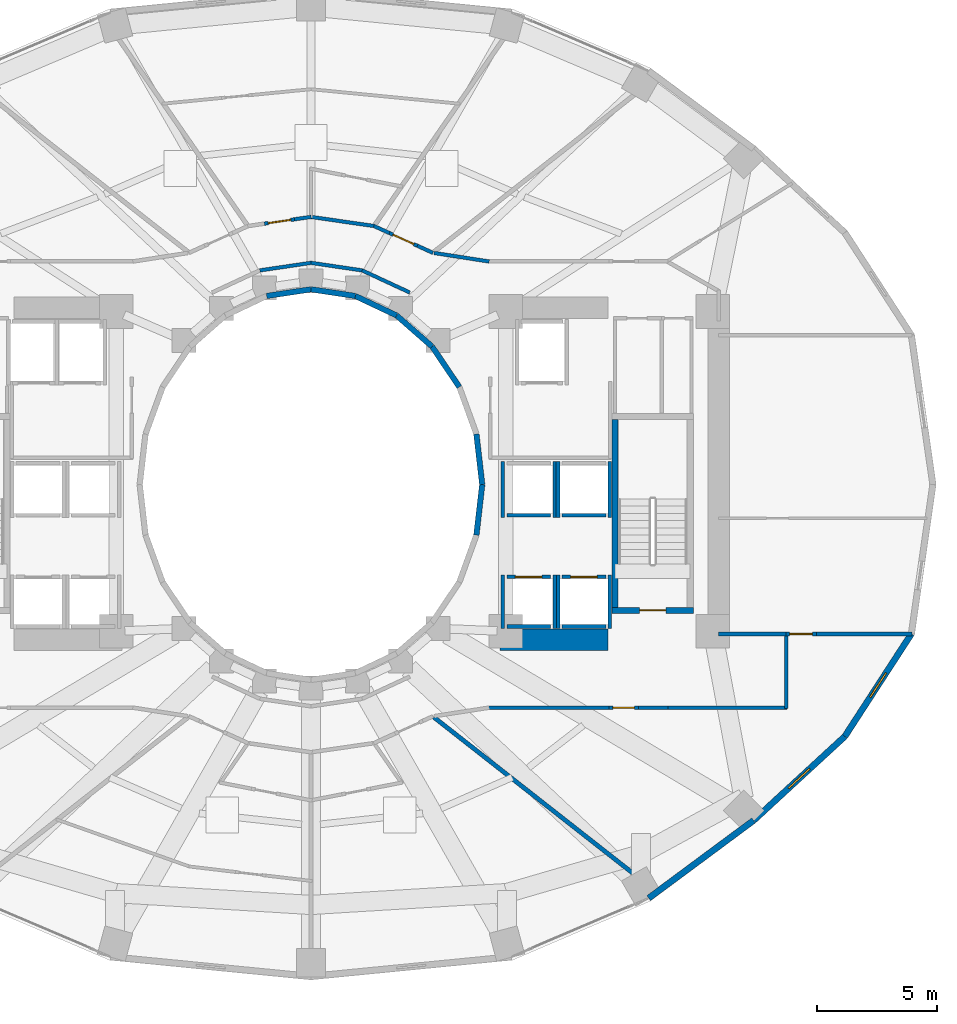
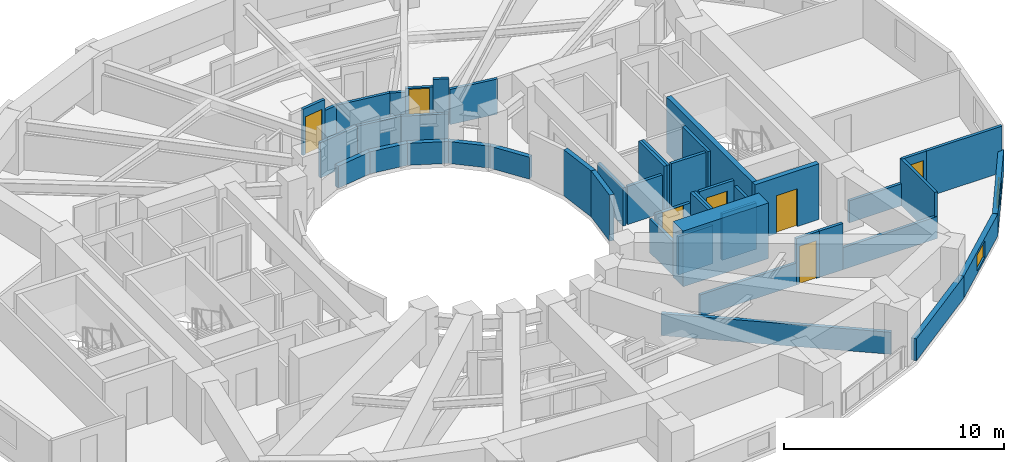
# One storey, part 11 of 16: 46 walls, 7 doors, 2 windows, 9 openings.
"""IFC4 building model written with IfcOpenShell, lengths in metres."""

from ifc_helpers import new_model, si_unit, direction, frame, frame_2d, origin, place, context, subcontext, project, spatial, rectangle, extrude, material, layer, layer_set, type_object, element, fill, save


model = new_model("IFC4")

# Units and contexts
model_context = context("Model", 3, precision=1e-05, world=origin(), true_north=direction((0.0, 1.0)))
body_context = subcontext(model_context, "Body", "Model", "MODEL_VIEW")
ifc_project = project(units=[si_unit("LENGTHUNIT", "METRE"), si_unit("AREAUNIT", "SQUARE_METRE"), si_unit("VOLUMEUNIT", "CUBIC_METRE"), si_unit("PLANEANGLEUNIT", "RADIAN"), si_unit("MASSUNIT", "GRAM", prefix="KILO")], contexts=[model_context])

# Site, building, storey
site_placement = place(None, origin())
site = spatial("IfcSite", under=ifc_project, at=site_placement, CompositionType="ELEMENT")
building_placement = place(site_placement, origin())
building = spatial("IfcBuilding", under=site, at=building_placement, Name="Solvane Sanctuary Tower", CompositionType="ELEMENT")
storey_placement = place(building_placement, frame((0.0, 0.0, 33.800048828125)))
storey = spatial("IfcBuildingStorey", under=building, at=storey_placement, Name="L09", CompositionType="ELEMENT", Elevation=33.800048828125)

# Walls
ifc_material_1 = material(Name="Concrete C70/85", Category="concrete")
ifc_layer_1 = layer(ifc_material_1, 0.89990234375, Name="Concrete C70/85")
ifc_layer_set_1 = layer_set([ifc_layer_1], Name="Concrete C70/85")
wall_type_1 = type_object("IfcWallType", Name="Wall W-CORE-900", PredefinedType="SHEAR", material=ifc_layer_set_1)
wall_1_placement = place(storey_placement, frame((39.85009765625, 16.550048828125, 0.0), z_axis=(0.0, 0.0, 1.0), x_axis=(1.0, 0.0, 0.0)))
element("IfcWall", 1, at=wall_1_placement, inside=storey, type_object=wall_type_1, Name="L09 Core Shear Wall EC-S", PredefinedType="SHEAR", context=body_context, shape_type="SweptSolid", body=[
    extrude(rectangle(XDim=4.5, YDim=0.89990234375, at=frame_2d((2.25, 0.0))), origin(), (0.0, 0.0, 1.0), 3.099853515625),
])
ifc_material_2 = material(Name="Acoustic Gypsum Partition Board")
ifc_layer_2 = layer(ifc_material_2, 0.14990234375, Name="Acoustic Gypsum Partition Board")
ifc_layer_set_2 = layer_set([ifc_layer_2], Name="Acoustic Gypsum Partition Board")
wall_type_2 = type_object("IfcWallType", Name="Wall W-CORR-150", PredefinedType="PARTITIONING", material=ifc_layer_set_2)
wall_2_placement = place(storey_placement, frame((36.110107421875, 30.98486328125, 0.0), z_axis=(0.0, 0.0, 1.0), x_axis=(-0.906943449489, 0.421252393975, 0.0)))
element("IfcWall", 2, at=wall_2_placement, inside=storey, type_object=wall_type_2, Name="L09 Light-Well Corridor Rim Wall N1", PredefinedType="PARTITIONING", context=body_context, shape_type="SweptSolid", body=[
    extrude(rectangle(XDim=2.18603515625, YDim=0.14990234375, at=frame_2d((1.093017578125, 0.0))), origin(), (0.0, 0.0, 1.0), 1.95703125),
])
for number, where, z_axis, x_axis, name in (
    (3, (34.12744140625, 31.90576171875, 0.0), (0.0, 0.0, 1.0), (-0.989268584896, 0.146108408166, 0.0), "L09 Light-Well Corridor Rim Wall N2"),
    (4, (32.0, 32.219970703125, 0.0), (0.0, 0.0, 1.0), (-0.989268584896, -0.146108408166, 0.0), "L09 Light-Well Corridor Rim Wall N3"),
):
    element("IfcWall", number, at=place(storey_placement, frame(where, z_axis=z_axis, x_axis=x_axis)), inside=storey, type_object=wall_type_2, Name=name, PredefinedType="PARTITIONING", context=body_context, shape_type="SweptSolid", body=[
        extrude(rectangle(XDim=2.150634765625, YDim=0.14990234375, at=frame_2d((1.0751953125, 0.0))), origin(), (0.0, 0.0, 1.0), 1.95703125),
    ])
wall_3_placement = place(storey_placement, frame((48.949951171875, 16.788330078125, 0.0), z_axis=(0.0, 0.0, 1.0), x_axis=(1.0, 0.0, 0.0)))
element("IfcWall", 5, at=wall_3_placement, inside=storey, type_object=wall_type_2, Name="L09 East Shoulder South Wall", PredefinedType="PARTITIONING", context=body_context, shape_type="SweptSolid", body=[
    extrude(rectangle(XDim=2.79296875, YDim=0.14990234375, at=frame_2d((1.396484375, 0.0))), origin(), (0.0, 0.0, 1.0), 1.219970703125),
])

# Wall, opening, door
wall_4_placement = place(storey_placement, frame((51.742919921875, 16.788330078125, 0.0), z_axis=(0.0, 0.0, 1.0), x_axis=(1.0, 0.0, 0.0)))
wall_4 = element("IfcWall", 6, at=wall_4_placement, inside=storey, type_object=wall_type_2, Name="L09 East Shoulder South Wall", PredefinedType="PARTITIONING", context=body_context, shape_type="SweptSolid", body=[
    extrude(rectangle(XDim=1.27001953125, YDim=0.14990234375, at=frame_2d((0.635009765625, 0.0))), origin(), (0.0, 0.0, 1.0), 2.574951171875),
])
opening_1_placement = place(wall_4_placement, frame((0.159912109375, 0.0, 0.0)))
opening_1 = element("IfcOpeningElement", 7, at=opening_1_placement, cuts=wall_4, Name="Opening D-L09-10", PredefinedType="OPENING", context=body_context, shape_type="SweptSolid", body=[
    extrude(rectangle(XDim=0.949951171875, YDim=2.10009765625, at=frame_2d((0.47509765625, 1.050048828125))), frame((0.0, 0.0849609375, 0.0), z_axis=(0.0, -1.0, 0.0), x_axis=(1.0, 0.0, 0.0)), (0.0, 0.0, 1.0), 0.169921875),
])
ifc_material_3 = material(Name="Engineered Tropical Hardwood", Category="wood")
door_type_1 = type_object("IfcDoorType", Name="Door D-ROOM-950", OperationType="NOTDEFINED", PredefinedType="DOOR", material=ifc_material_3)
door_1_placement = place(opening_1_placement, origin())
door_1 = element("IfcDoor", 8, at=door_1_placement, inside=storey, type_object=door_type_1, Name="L09 East Shoulder South Door", OperationType="SINGLE_SWING_RIGHT", OverallHeight=2.10009765625, OverallWidth=0.949951171875, PredefinedType="DOOR", context=body_context, shape_type="SweptSolid", body=[
    extrude(rectangle(XDim=0.949951171875, YDim=2.10009765625, at=frame_2d((0.47509765625, 1.050048828125))), frame((0.0, 0.02490234375, 0.0), z_axis=(0.0, -1.0, 0.0), x_axis=(1.0, 0.0, 0.0)), (0.0, 0.0, 1.0), 0.050048828125),
])
fill(opening_1, door_1)

# Walls
wall_5_placement = place(storey_placement, frame((53.012939453125, 16.788330078125, 0.0), z_axis=(0.0, 0.0, 1.0), x_axis=(1.0, 0.0, 0.0)))
element("IfcWall", 9, at=wall_5_placement, inside=storey, type_object=wall_type_2, Name="L09 East Shoulder South Wall", PredefinedType="PARTITIONING", context=body_context, shape_type="SweptSolid", body=[
    extrude(rectangle(XDim=3.973388671875, YDim=0.14990234375, at=frame_2d((1.98681640625, 0.0))), origin(), (0.0, 0.0, 1.0), 2.574951171875),
])
wall_6_placement = place(storey_placement, frame((37.119384765625, 32.630615234375, 0.0), z_axis=(0.0, 0.0, 1.0), x_axis=(0.988184633586, -0.153268163508, 0.0)))
element("IfcWall", 10, at=wall_6_placement, inside=storey, type_object=wall_type_2, Name="L09 NE Corner Throat Wall", PredefinedType="PARTITIONING", context=body_context, shape_type="SweptSolid", body=[
    extrude(rectangle(XDim=2.317626953125, YDim=0.14990234375, at=frame_2d((1.15869140625, 0.0))), origin(), (0.0, 0.0, 1.0), 1.95703125),
])
wall_7_placement = place(storey_placement, frame((51.760009765625, 13.679931640625, 0.0), z_axis=(0.0, 0.0, 1.0), x_axis=(0.0, 1.0, 0.0)))
element("IfcWall", 11, at=wall_7_placement, inside=storey, type_object=wall_type_2, Name="L09 SE Corner Closer 1", PredefinedType="PARTITIONING", context=body_context, shape_type="SweptSolid", body=[
    extrude(rectangle(XDim=3.1484375, YDim=0.14990234375, at=frame_2d((1.57421875, 0.0))), origin(), (0.0, 0.0, 1.0), 2.574951171875),
])
wall_8_placement = place(storey_placement, frame((39.330078125, 13.719970703125, 0.0), z_axis=(0.0, 0.0, 1.0), x_axis=(1.0, 0.0, 0.0)))
element("IfcWall", 12, at=wall_8_placement, inside=storey, type_object=wall_type_2, Name="L09 SE Corner Corridor Wall", PredefinedType="PARTITIONING", context=body_context, shape_type="SweptSolid", body=[
    extrude(rectangle(XDim=5.059814453125, YDim=0.14990234375, at=frame_2d((2.52978515625, 0.0))), origin(), (0.0, 0.0, 1.0), 1.219970703125),
])

# Wall, opening, door
wall_9_placement = place(storey_placement, frame((44.389892578125, 13.719970703125, 0.0), z_axis=(0.0, 0.0, 1.0), x_axis=(1.0, 0.0, 0.0)))
wall_9 = element("IfcWall", 13, at=wall_9_placement, inside=storey, type_object=wall_type_2, Name="L09 SE Corner Corridor Wall", PredefinedType="PARTITIONING", context=body_context, shape_type="SweptSolid", body=[
    extrude(rectangle(XDim=1.22021484375, YDim=0.14990234375, at=frame_2d((0.610107421875, 0.0))), origin(), (0.0, 0.0, 1.0), 2.574951171875),
])
opening_2_placement = place(wall_9_placement, frame((0.159912109375, 0.0, 0.0)))
opening_2 = element("IfcOpeningElement", 14, at=opening_2_placement, cuts=wall_9, Name="Opening D-L09-17", PredefinedType="OPENING", context=body_context, shape_type="SweptSolid", body=[
    extrude(rectangle(XDim=0.89990234375, YDim=2.10009765625, at=frame_2d((0.449951171875, 1.050048828125))), frame((0.0, 0.0849609375, 0.0), z_axis=(0.0, -1.0, 0.0), x_axis=(1.0, 0.0, 0.0)), (0.0, 0.0, 1.0), 0.169921875),
])
door_type_2 = type_object("IfcDoorType", Name="Door D-WET-900", OperationType="NOTDEFINED", PredefinedType="DOOR", material=ifc_material_3)
door_2_placement = place(opening_2_placement, origin())
door_2 = element("IfcDoor", 15, at=door_2_placement, inside=storey, type_object=door_type_2, Name="L09 SE Corner Salon Door", OperationType="SINGLE_SWING_LEFT", OverallHeight=2.10009765625, OverallWidth=0.89990234375, PredefinedType="DOOR", context=body_context, shape_type="SweptSolid", body=[
    extrude(rectangle(XDim=0.89990234375, YDim=2.10009765625, at=frame_2d((0.449951171875, 1.050048828125))), frame((0.0, 0.02490234375, 0.0), z_axis=(0.0, -1.0, 0.0), x_axis=(1.0, 0.0, 0.0)), (0.0, 0.0, 1.0), 0.050048828125),
])
fill(opening_2, door_2)

# Walls
wall_10_placement = place(storey_placement, frame((45.610107421875, 13.719970703125, 0.0), z_axis=(0.0, 0.0, 1.0), x_axis=(1.0, 0.0, 0.0)))
element("IfcWall", 16, at=wall_10_placement, inside=storey, type_object=wall_type_2, Name="L09 SE Corner Corridor Wall", PredefinedType="PARTITIONING", context=body_context, shape_type="SweptSolid", body=[
    extrude(rectangle(XDim=1.239990234375, YDim=0.14990234375, at=frame_2d((0.6201171875, 0.0))), origin(), (0.0, 0.0, 1.0), 2.574951171875),
])
wall_11_placement = place(storey_placement, frame((46.75, 13.719970703125, 0.0), z_axis=(0.0, 0.0, 1.0), x_axis=(1.0, 0.0, 0.0)))
element("IfcWall", 17, at=wall_11_placement, inside=storey, type_object=wall_type_2, Name="L09 SE Corner Wing Wall", PredefinedType="PARTITIONING", context=body_context, shape_type="SweptSolid", body=[
    extrude(rectangle(XDim=5.050048828125, YDim=0.14990234375, at=frame_2d((2.52490234375, 0.0))), origin(), (0.0, 0.0, 1.0), 1.219970703125),
])
wall_12_placement = place(storey_placement, frame((37.071044921875, 32.635009765625, 0.0), z_axis=(0.0, 0.0, 1.0), x_axis=(-0.910167389119, 0.414240659261, 0.0)))
element("IfcWall", 18, at=wall_12_placement, inside=storey, type_object=wall_type_2, Name="L09 Unit Corridor Wall N1", PredefinedType="PARTITIONING", context=body_context, shape_type="SweptSolid", body=[
    extrude(rectangle(XDim=0.71435546875, YDim=0.14990234375, at=frame_2d((0.357177734375, 0.0))), origin(), (0.0, 0.0, 1.0), 2.574951171875),
])

# Wall, opening, door
wall_13_placement = place(storey_placement, frame((36.4208984375, 32.930908203125, 0.0), z_axis=(0.0, 0.0, 1.0), x_axis=(-0.910168885926, 0.414237370469, 0.0)))
wall_13 = element("IfcWall", 19, at=wall_13_placement, inside=storey, type_object=wall_type_2, Name="L09 Unit Corridor Wall N1", PredefinedType="PARTITIONING", context=body_context, shape_type="SweptSolid", body=[
    extrude(rectangle(XDim=1.27001953125, YDim=0.14990234375, at=frame_2d((0.635009765625, 0.0))), origin(), (0.0, 0.0, 1.0), 2.159912109375),
])
opening_3_placement = place(wall_13_placement, frame((0.159912109375, 0.0, 0.0)))
opening_3 = element("IfcOpeningElement", 20, at=opening_3_placement, cuts=wall_13, Name="Opening D-L09-18", PredefinedType="OPENING", context=body_context, shape_type="SweptSolid", body=[
    extrude(rectangle(XDim=0.949951171875, YDim=2.10009765625, at=frame_2d((0.47509765625, 1.050048828125))), frame((0.0, 0.0849609375, 0.0), z_axis=(0.0, -1.0, 0.0), x_axis=(1.0, 0.0, 0.0)), (0.0, 0.0, 1.0), 0.169921875),
])
door_3_placement = place(opening_3_placement, origin())
door_3 = element("IfcDoor", 21, at=door_3_placement, inside=storey, type_object=door_type_1, Name="L09 Unit Entrance Door N1", OperationType="SINGLE_SWING_RIGHT", OverallHeight=2.10009765625, OverallWidth=0.949951171875, PredefinedType="DOOR", context=body_context, shape_type="SweptSolid", body=[
    extrude(rectangle(XDim=0.949951171875, YDim=2.10009765625, at=frame_2d((0.47509765625, 1.050048828125))), frame((0.0, 0.02490234375, 0.0), z_axis=(0.0, -1.0, 0.0), x_axis=(1.0, 0.0, 0.0)), (0.0, 0.0, 1.0), 0.050048828125),
])
fill(opening_3, door_3)

# Walls
wall_14_placement = place(storey_placement, frame((35.264892578125, 33.45703125, 0.0), z_axis=(0.0, 0.0, 1.0), x_axis=(-0.910237621284, 0.414086310809, 0.0)))
element("IfcWall", 22, at=wall_14_placement, inside=storey, type_object=wall_type_2, Name="L09 Unit Corridor Wall N1", PredefinedType="PARTITIONING", context=body_context, shape_type="SweptSolid", body=[
    extrude(rectangle(XDim=0.714111328125, YDim=0.14990234375, at=frame_2d((0.35693359375, 0.0))), origin(), (0.0, 0.0, 1.0), 1.95703125),
])
wall_15_placement = place(storey_placement, frame((34.67138671875, 33.74365234375, 0.0), z_axis=(0.0, 0.0, 1.0), x_axis=(-0.989701115085, 0.143149232617, 0.0)))
element("IfcWall", 23, at=wall_15_placement, inside=storey, type_object=wall_type_2, Name="L09 En-suite Inner Wall N2", PredefinedType="PARTITIONING", context=body_context, shape_type="SweptSolid", body=[
    extrude(rectangle(XDim=2.749267578125, YDim=0.14990234375, at=frame_2d((1.37451171875, 0.0))), origin(), (0.0, 0.0, 1.0), 1.95703125),
])
wall_16_placement = place(storey_placement, frame((32.007080078125, 34.1298828125, 0.0), z_axis=(0.0, 0.0, 1.0), x_axis=(-0.989723948494, -0.142991278678, 0.0)))
element("IfcWall", 24, at=wall_16_placement, inside=storey, type_object=wall_type_2, Name="L09 Unit Corridor Wall N2", PredefinedType="PARTITIONING", context=body_context, shape_type="SweptSolid", body=[
    extrude(rectangle(XDim=0.696533203125, YDim=0.14990234375, at=frame_2d((0.34814453125, 0.0))), origin(), (0.0, 0.0, 1.0), 1.95703125),
])

# Wall, opening, door
wall_17_placement = place(storey_placement, frame((31.317626953125, 34.0302734375, 0.0), z_axis=(0.0, 0.0, 1.0), x_axis=(-0.989690239562, -0.143224403355, 0.0)))
wall_17 = element("IfcWall", 25, at=wall_17_placement, inside=storey, type_object=wall_type_2, Name="L09 Unit Corridor Wall N2", PredefinedType="PARTITIONING", context=body_context, shape_type="SweptSolid", body=[
    extrude(rectangle(XDim=1.27001953125, YDim=0.14990234375, at=frame_2d((0.635009765625, 0.0))), origin(), (0.0, 0.0, 1.0), 2.574951171875),
])
opening_4_placement = place(wall_17_placement, frame((0.159912109375, 0.0, 0.0)))
opening_4 = element("IfcOpeningElement", 26, at=opening_4_placement, cuts=wall_17, Name="Opening D-L09-21", PredefinedType="OPENING", context=body_context, shape_type="SweptSolid", body=[
    extrude(rectangle(XDim=0.949951171875, YDim=2.10009765625, at=frame_2d((0.47509765625, 1.050048828125))), frame((0.0, 0.0849609375, 0.0), z_axis=(0.0, -1.0, 0.0), x_axis=(1.0, 0.0, 0.0)), (0.0, 0.0, 1.0), 0.169921875),
])
door_4_placement = place(opening_4_placement, origin())
door_4 = element("IfcDoor", 27, at=door_4_placement, inside=storey, type_object=door_type_1, Name="L09 Unit Entrance Door N2", OperationType="SINGLE_SWING_LEFT", OverallHeight=2.10009765625, OverallWidth=0.949951171875, PredefinedType="DOOR", context=body_context, shape_type="SweptSolid", body=[
    extrude(rectangle(XDim=0.949951171875, YDim=2.10009765625, at=frame_2d((0.47509765625, 1.050048828125))), frame((0.0, 0.02490234375, 0.0), z_axis=(0.0, -1.0, 0.0), x_axis=(1.0, 0.0, 0.0)), (0.0, 0.0, 1.0), 0.050048828125),
])
fill(opening_4, door_4)

# Wall
ifc_material_4 = material(Name="Precast concrete C40/50", Category="concrete")
ifc_layer_3 = layer(ifc_material_4, 0.260009765625, Name="Precast concrete C40/50")
ifc_layer_set_3 = layer_set([ifc_layer_3], Name="Precast concrete C40/50")
wall_type_3 = type_object("IfcWallType", Name="Wall W-EXT-250", PredefinedType="STANDARD", material=ifc_layer_set_3)
wall_18_placement = place(storey_placement, frame((46.0419921875, 5.802978515625, 0.0), z_axis=(0.0, 0.0, 1.0), x_axis=(0.803477531792, 0.595335078679, 0.0)))
element("IfcWall", 28, at=wall_18_placement, inside=storey, type_object=wall_type_3, Name="L09 Ceramic-Printed Facade Wall 20", PredefinedType="STANDARD", context=body_context, shape_type="SweptSolid", body=[
    extrude(rectangle(XDim=5.4296875, YDim=0.260009765625, at=frame_2d((2.71484375, 0.0))), origin(), (0.0, 0.0, 1.0), 1.219970703125),
])

# Wall, opening, window
wall_19_placement = place(storey_placement, frame((50.404541015625, 9.035400390625, 0.0), z_axis=(0.0, 0.0, 1.0), x_axis=(0.735655109293, 0.67735630223, 0.0)))
wall_19 = element("IfcWall", 29, at=wall_19_placement, inside=storey, type_object=wall_type_3, Name="L09 Ceramic-Printed Facade Wall 21", PredefinedType="STANDARD", context=body_context, shape_type="SweptSolid", body=[
    extrude(rectangle(XDim=5.15087890625, YDim=0.260009765625, at=frame_2d((2.575439453125, 0.0))), origin(), (0.0, 0.0, 1.0), 1.219970703125),
])
opening_5_placement = place(wall_19_placement, frame((1.9755859375, 0.0, 0.14990234375)))
opening_5 = element("IfcOpeningElement", 30, at=opening_5_placement, cuts=wall_19, Name="Opening WN-OPER-1200", PredefinedType="OPENING", context=body_context, shape_type="SweptSolid", body=[
    extrude(rectangle(XDim=1.199951171875, YDim=0.89990234375, at=frame_2d((0.60009765625, 0.449951171875))), frame((0.0, 0.139892578125, 0.0), z_axis=(0.0, -1.0, 0.0), x_axis=(1.0, 0.0, 0.0)), (0.0, 0.0, 1.0), 0.280029296875),
])
ifc_material_5 = material(Name="Dark Ceramic-Fritted Low-E Glass", Category="glass")
window_type = type_object("IfcWindowType", Name="Window WN-OPER-1200", PartitioningType="SINGLE_PANEL", PredefinedType="WINDOW", material=ifc_material_5)
window_1_placement = place(opening_5_placement, origin())
window_1 = element("IfcWindow", 31, at=window_1_placement, inside=storey, type_object=window_type, Name="L09 Operable Facade Window 21", OverallHeight=0.89990234375, OverallWidth=1.199951171875, PartitioningType="SINGLE_PANEL", PredefinedType="WINDOW", context=body_context, shape_type="SweptSolid", body=[
    extrude(rectangle(XDim=1.199951171875, YDim=0.89990234375, at=frame_2d((0.60009765625, 0.449951171875))), frame((0.0, 0.030029296875, 0.0), z_axis=(0.0, -1.0, 0.0), x_axis=(1.0, 0.0, 0.0)), (0.0, 0.0, 1.0), 0.06005859375),
])
fill(opening_5, window_1)

wall_20_placement = place(storey_placement, frame((54.19384765625, 12.5244140625, 0.0), z_axis=(0.0, 0.0, 1.0), x_axis=(0.544578722263, 0.838709732421, 0.0)))
wall_20 = element("IfcWall", 32, at=wall_20_placement, inside=storey, type_object=wall_type_3, Name="L09 Ceramic-Printed Facade Wall 22", PredefinedType="STANDARD", context=body_context, shape_type="SweptSolid", body=[
    extrude(rectangle(XDim=5.091552734375, YDim=0.260009765625, at=frame_2d((2.5458984375, 0.0))), origin(), (0.0, 0.0, 1.0), 1.219970703125),
])
opening_6_placement = place(wall_20_placement, frame((1.94580078125, 0.0, 0.14990234375)))
opening_6 = element("IfcOpeningElement", 33, at=opening_6_placement, cuts=wall_20, Name="Opening WN-OPER-1200", PredefinedType="OPENING", context=body_context, shape_type="SweptSolid", body=[
    extrude(rectangle(XDim=1.199951171875, YDim=0.89990234375, at=frame_2d((0.60009765625, 0.449951171875))), frame((0.0, 0.139892578125, 0.0), z_axis=(0.0, -1.0, 0.0), x_axis=(1.0, 0.0, 0.0)), (0.0, 0.0, 1.0), 0.280029296875),
])
window_2_placement = place(opening_6_placement, origin())
window_2 = element("IfcWindow", 34, at=window_2_placement, inside=storey, type_object=window_type, Name="L09 Operable Facade Window 22", OverallHeight=0.89990234375, OverallWidth=1.199951171875, PartitioningType="SINGLE_PANEL", PredefinedType="WINDOW", context=body_context, shape_type="SweptSolid", body=[
    extrude(rectangle(XDim=1.199951171875, YDim=0.89990234375, at=frame_2d((0.60009765625, 0.449951171875))), frame((0.0, 0.030029296875, 0.0), z_axis=(0.0, -1.0, 0.0), x_axis=(1.0, 0.0, 0.0)), (0.0, 0.0, 1.0), 0.06005859375),
])
fill(opening_6, window_2)

# Walls
ifc_layer_4 = layer(ifc_material_4, 0.22998046875, Name="Precast concrete C40/50")
ifc_layer_set_4 = layer_set([ifc_layer_4], Name="Precast concrete C40/50")
wall_type_4 = type_object("IfcWallType", Name="Wall W-EXT-SP220", PredefinedType="STANDARD", material=ifc_layer_set_4)
wall_21_placement = place(storey_placement, frame((39.1201171875, 23.0, 0.0), z_axis=(0.0, 0.0, 1.0), x_axis=(-0.114711713601, 0.993398823617, 0.0)))
element("IfcWall", 35, at=wall_21_placement, inside=storey, type_object=wall_type_4, Name="L09 Central Light-Well Wall 00", PredefinedType="STANDARD", context=body_context, shape_type="SweptSolid", body=[
    extrude(rectangle(XDim=2.115478515625, YDim=0.22998046875, at=frame_2d((1.0576171875, 0.0))), origin(), (0.0, 0.0, 1.0), 2.56005859375),
])
wall_22_placement = place(storey_placement, frame((38.166015625, 27.06005859375, 0.0), z_axis=(0.0, 0.0, 1.0), x_axis=(-0.558197800898, 0.829707909492, 0.0)))
element("IfcWall", 36, at=wall_22_placement, inside=storey, type_object=wall_type_4, Name="L09 Central Light-Well Wall 02", PredefinedType="STANDARD", context=body_context, shape_type="SweptSolid", body=[
    extrude(rectangle(XDim=2.02685546875, YDim=0.22998046875, at=frame_2d((1.013427734375, 0.0))), origin(), (0.0, 0.0, 1.0), 1.219970703125),
])
wall_23_placement = place(storey_placement, frame((37.03466796875, 28.74169921875, 0.0), z_axis=(0.0, 0.0, 1.0), x_axis=(-0.752576694707, 0.658504607869, 0.0)))
element("IfcWall", 37, at=wall_23_placement, inside=storey, type_object=wall_type_4, Name="L09 Central Light-Well Wall 03", PredefinedType="STANDARD", context=body_context, shape_type="SweptSolid", body=[
    extrude(rectangle(XDim=1.95947265625, YDim=0.22998046875, at=frame_2d((0.979736328125, 0.0))), origin(), (0.0, 0.0, 1.0), 1.219970703125),
])
wall_24_placement = place(storey_placement, frame((35.56005859375, 30.031982421875, 0.0), z_axis=(0.0, 0.0, 1.0), x_axis=(-0.904179699603, 0.427152280606, 0.0)))
element("IfcWall", 38, at=wall_24_placement, inside=storey, type_object=wall_type_4, Name="L09 Central Light-Well Wall 04", PredefinedType="STANDARD", context=body_context, shape_type="SweptSolid", body=[
    extrude(rectangle(XDim=1.899169921875, YDim=0.22998046875, at=frame_2d((0.94970703125, 0.0))), origin(), (0.0, 0.0, 1.0), 1.219970703125),
])
for number, where, z_axis, x_axis, name in (
    (39, (33.8427734375, 30.84326171875, 0.0), (0.0, 0.0, 1.0), (-0.988901730308, 0.148571086668, 0.0), "L09 Central Light-Well Wall 05"),
    (40, (32.0, 31.1201171875, 0.0), (0.0, 0.0, 1.0), (-0.988901730308, -0.148571086668, 0.0), "L09 Central Light-Well Wall 06"),
):
    element("IfcWall", number, at=place(storey_placement, frame(where, z_axis=z_axis, x_axis=x_axis)), inside=storey, type_object=wall_type_4, Name=name, PredefinedType="STANDARD", context=body_context, shape_type="SweptSolid", body=[
        extrude(rectangle(XDim=1.863525390625, YDim=0.22998046875, at=frame_2d((0.931640625, 0.0))), origin(), (0.0, 0.0, 1.0), 1.219970703125),
    ])
wall_25_placement = place(storey_placement, frame((38.87744140625, 20.8984375, 0.0), z_axis=(0.0, 0.0, 1.0), x_axis=(0.114711713601, 0.993398823617, 0.0)))
element("IfcWall", 41, at=wall_25_placement, inside=storey, type_object=wall_type_4, Name="L09 Central Light-Well Wall 23", PredefinedType="STANDARD", context=body_context, shape_type="SweptSolid", body=[
    extrude(rectangle(XDim=2.115478515625, YDim=0.22998046875, at=frame_2d((1.0576171875, 0.0))), origin(), (0.0, 0.0, 1.0), 2.56005859375),
])

# Wall, opening, door
ifc_material_6 = material(Name="Concrete C50/60", Category="concrete")
ifc_layer_5 = layer(ifc_material_6, 0.14990234375, Name="Concrete C50/60")
ifc_layer_set_5 = layer_set([ifc_layer_5], Name="Concrete C50/60")
wall_type_5 = type_object("IfcWallType", Name="Wall W-SHAFT-150", PredefinedType="SOLIDWALL", material=ifc_layer_set_5)
wall_26_placement = place(storey_placement, frame((40.139892578125, 19.159912109375, 0.0), z_axis=(0.0, 0.0, 1.0), x_axis=(1.0, 0.0, 0.0)))
wall_26 = element("IfcWall", 42, at=wall_26_placement, inside=storey, type_object=wall_type_5, Name="L09 PL-3 Lift Shaft Wall F", PredefinedType="SOLIDWALL", context=body_context, shape_type="SweptSolid", body=[
    extrude(rectangle(XDim=1.820068359375, YDim=0.14990234375, at=frame_2d((0.91015625, 0.0))), origin(), (0.0, 0.0, 1.0), 2.119873046875),
])
opening_7_placement = place(wall_26_placement, frame((0.360107421875, 0.0, 0.0)))
opening_7 = element("IfcOpeningElement", 43, at=opening_7_placement, cuts=wall_26, Name="Opening LD-L09-03", PredefinedType="OPENING", context=body_context, shape_type="SweptSolid", body=[
    extrude(rectangle(XDim=1.10009765625, YDim=2.10009765625, at=frame_2d((0.550048828125, 1.050048828125))), frame((0.0, 0.0849609375, 0.0), z_axis=(0.0, -1.0, 0.0), x_axis=(1.0, 0.0, 0.0)), (0.0, 0.0, 1.0), 0.169921875),
])
ifc_material_7 = material(Name="Architectural Stainless Steel 316", Category="steel")
door_type_3 = type_object("IfcDoorType", Name="Door LD-PASS-1100", OperationType="NOTDEFINED", PredefinedType="DOOR", material=ifc_material_7)
door_5_placement = place(opening_7_placement, origin())
door_5 = element("IfcDoor", 44, at=door_5_placement, inside=storey, type_object=door_type_3, Name="L09 PL-3 Lift Landing Door", OperationType="DOUBLE_DOOR_SLIDING", OverallHeight=2.10009765625, OverallWidth=1.10009765625, PredefinedType="DOOR", context=body_context, shape_type="SweptSolid", body=[
    extrude(rectangle(XDim=1.10009765625, YDim=2.10009765625, at=frame_2d((0.550048828125, 1.050048828125))), frame((0.0, 0.02490234375, 0.0), z_axis=(0.0, -1.0, 0.0), x_axis=(1.0, 0.0, 0.0)), (0.0, 0.0, 1.0), 0.050048828125),
])
fill(opening_7, door_5)

# Walls
wall_27_placement = place(storey_placement, frame((40.139892578125, 17.10009765625, 0.0), z_axis=(0.0, 0.0, 1.0), x_axis=(1.0, 0.0, 0.0)))
element("IfcWall", 45, at=wall_27_placement, inside=storey, type_object=wall_type_5, Name="L09 PL-3 Lift Shaft Wall B", PredefinedType="SOLIDWALL", context=body_context, shape_type="SweptSolid", body=[
    extrude(rectangle(XDim=1.820068359375, YDim=0.14990234375, at=frame_2d((0.91015625, 0.0))), origin(), (0.0, 0.0, 1.0), 2.119873046875),
])
wall_28_placement = place(storey_placement, frame((39.969970703125, 17.02001953125, 0.0), z_axis=(0.0, 0.0, 1.0), x_axis=(0.0, 1.0, 0.0)))
element("IfcWall", 46, at=wall_28_placement, inside=storey, type_object=wall_type_5, Name="L09 PL-3 Lift Shaft Wall S1", PredefinedType="SOLIDWALL", context=body_context, shape_type="SweptSolid", body=[
    extrude(rectangle(XDim=2.219970703125, YDim=0.14990234375, at=frame_2d((1.10986328125, 0.0))), origin(), (0.0, 0.0, 1.0), 1.873046875),
])
wall_29_placement = place(storey_placement, frame((42.1298828125, 17.02001953125, 0.0), z_axis=(0.0, 0.0, 1.0), x_axis=(0.0, 1.0, 0.0)))
element("IfcWall", 47, at=wall_29_placement, inside=storey, type_object=wall_type_5, Name="L09 PL-3 Lift Shaft Wall S2", PredefinedType="SOLIDWALL", context=body_context, shape_type="SweptSolid", body=[
    extrude(rectangle(XDim=2.219970703125, YDim=0.14990234375, at=frame_2d((1.10986328125, 0.0))), origin(), (0.0, 0.0, 1.0), 2.574951171875),
])

# Wall, opening, door
wall_30_placement = place(storey_placement, frame((42.43994140625, 19.159912109375, 0.0), z_axis=(0.0, 0.0, 1.0), x_axis=(1.0, 0.0, 0.0)))
wall_30 = element("IfcWall", 48, at=wall_30_placement, inside=storey, type_object=wall_type_5, Name="L09 PL-4 Lift Shaft Wall F", PredefinedType="SOLIDWALL", context=body_context, shape_type="SweptSolid", body=[
    extrude(rectangle(XDim=1.820068359375, YDim=0.14990234375, at=frame_2d((0.91015625, 0.0))), origin(), (0.0, 0.0, 1.0), 2.574951171875),
])
opening_8_placement = place(wall_30_placement, frame((0.360107421875, 0.0, 0.0)))
opening_8 = element("IfcOpeningElement", 49, at=opening_8_placement, cuts=wall_30, Name="Opening LD-L09-04", PredefinedType="OPENING", context=body_context, shape_type="SweptSolid", body=[
    extrude(rectangle(XDim=1.10009765625, YDim=2.10009765625, at=frame_2d((0.550048828125, 1.050048828125))), frame((0.0, 0.0849609375, 0.0), z_axis=(0.0, -1.0, 0.0), x_axis=(1.0, 0.0, 0.0)), (0.0, 0.0, 1.0), 0.169921875),
])
door_6_placement = place(opening_8_placement, origin())
door_6 = element("IfcDoor", 50, at=door_6_placement, inside=storey, type_object=door_type_3, Name="L09 PL-4 Lift Landing Door", OperationType="DOUBLE_DOOR_SLIDING", OverallHeight=2.10009765625, OverallWidth=1.10009765625, PredefinedType="DOOR", context=body_context, shape_type="SweptSolid", body=[
    extrude(rectangle(XDim=1.10009765625, YDim=2.10009765625, at=frame_2d((0.550048828125, 1.050048828125))), frame((0.0, 0.02490234375, 0.0), z_axis=(0.0, -1.0, 0.0), x_axis=(1.0, 0.0, 0.0)), (0.0, 0.0, 1.0), 0.050048828125),
])
fill(opening_8, door_6)

# Walls
wall_31_placement = place(storey_placement, frame((42.43994140625, 17.10009765625, 0.0), z_axis=(0.0, 0.0, 1.0), x_axis=(1.0, 0.0, 0.0)))
element("IfcWall", 51, at=wall_31_placement, inside=storey, type_object=wall_type_5, Name="L09 PL-4 Lift Shaft Wall B", PredefinedType="SOLIDWALL", context=body_context, shape_type="SweptSolid", body=[
    extrude(rectangle(XDim=1.820068359375, YDim=0.14990234375, at=frame_2d((0.91015625, 0.0))), origin(), (0.0, 0.0, 1.0), 2.574951171875),
])
wall_32_placement = place(storey_placement, frame((42.27001953125, 17.02001953125, 0.0), z_axis=(0.0, 0.0, 1.0), x_axis=(0.0, 1.0, 0.0)))
element("IfcWall", 52, at=wall_32_placement, inside=storey, type_object=wall_type_5, Name="L09 PL-4 Lift Shaft Wall S1", PredefinedType="SOLIDWALL", context=body_context, shape_type="SweptSolid", body=[
    extrude(rectangle(XDim=2.219970703125, YDim=0.14990234375, at=frame_2d((1.10986328125, 0.0))), origin(), (0.0, 0.0, 1.0), 2.574951171875),
])
wall_33_placement = place(storey_placement, frame((44.429931640625, 17.02001953125, 0.0), z_axis=(0.0, 0.0, 1.0), x_axis=(0.0, 1.0, 0.0)))
element("IfcWall", 53, at=wall_33_placement, inside=storey, type_object=wall_type_5, Name="L09 PL-4 Lift Shaft Wall S2", PredefinedType="SOLIDWALL", context=body_context, shape_type="SweptSolid", body=[
    extrude(rectangle(XDim=2.219970703125, YDim=0.14990234375, at=frame_2d((1.10986328125, 0.0))), origin(), (0.0, 0.0, 1.0), 2.119873046875),
])
wall_34_placement = place(storey_placement, frame((42.43994140625, 21.719970703125, 0.0), z_axis=(0.0, 0.0, 1.0), x_axis=(1.0, 0.0, 0.0)))
element("IfcWall", 54, at=wall_34_placement, inside=storey, type_object=wall_type_5, Name="L09 PM-2 Lift Shaft Wall F", PredefinedType="SOLIDWALL", context=body_context, shape_type="SweptSolid", body=[
    extrude(rectangle(XDim=1.820068359375, YDim=0.14990234375, at=frame_2d((0.91015625, 0.0))), origin(), (0.0, 0.0, 1.0), 2.574951171875),
])
for number, where, z_axis, x_axis, name in (
    (55, (42.27001953125, 21.639892578125, 0.0), (0.0, 0.0, 1.0), (0.0, 1.0, 0.0), "L09 PM-2 Lift Shaft Wall S1"),
    (56, (44.429931640625, 21.639892578125, 0.0), (0.0, 0.0, 1.0), (0.0, 1.0, 0.0), "L09 PM-2 Lift Shaft Wall S2"),
):
    element("IfcWall", number, at=place(storey_placement, frame(where, z_axis=z_axis, x_axis=x_axis)), inside=storey, type_object=wall_type_5, Name=name, PredefinedType="SOLIDWALL", context=body_context, shape_type="SweptSolid", body=[
        extrude(rectangle(XDim=2.320068359375, YDim=0.14990234375, at=frame_2d((1.16015625, 0.0))), origin(), (0.0, 0.0, 1.0), 2.574951171875),
    ])
wall_35_placement = place(storey_placement, frame((40.139892578125, 21.719970703125, 0.0), z_axis=(0.0, 0.0, 1.0), x_axis=(1.0, 0.0, 0.0)))
element("IfcWall", 57, at=wall_35_placement, inside=storey, type_object=wall_type_5, Name="L09 PH-2 Lift Shaft Wall F", PredefinedType="SOLIDWALL", context=body_context, shape_type="SweptSolid", body=[
    extrude(rectangle(XDim=1.820068359375, YDim=0.14990234375, at=frame_2d((0.91015625, 0.0))), origin(), (0.0, 0.0, 1.0), 2.119873046875),
])
wall_36_placement = place(storey_placement, frame((39.969970703125, 21.639892578125, 0.0), z_axis=(0.0, 0.0, 1.0), x_axis=(0.0, 1.0, 0.0)))
element("IfcWall", 58, at=wall_36_placement, inside=storey, type_object=wall_type_5, Name="L09 PH-2 Lift Shaft Wall S1", PredefinedType="SOLIDWALL", context=body_context, shape_type="SweptSolid", body=[
    extrude(rectangle(XDim=2.320068359375, YDim=0.14990234375, at=frame_2d((1.16015625, 0.0))), origin(), (0.0, 0.0, 1.0), 2.119873046875),
])
wall_37_placement = place(storey_placement, frame((42.1298828125, 21.639892578125, 0.0), z_axis=(0.0, 0.0, 1.0), x_axis=(0.0, 1.0, 0.0)))
element("IfcWall", 59, at=wall_37_placement, inside=storey, type_object=wall_type_5, Name="L09 PH-2 Lift Shaft Wall S2", PredefinedType="SOLIDWALL", context=body_context, shape_type="SweptSolid", body=[
    extrude(rectangle(XDim=2.320068359375, YDim=0.14990234375, at=frame_2d((1.16015625, 0.0))), origin(), (0.0, 0.0, 1.0), 2.574951171875),
])

# Wall, opening, door
ifc_layer_6 = layer(ifc_material_6, 0.25, Name="Concrete C50/60")
ifc_layer_set_6 = layer_set([ifc_layer_6], Name="Concrete C50/60")
wall_type_6 = type_object("IfcWallType", Name="Wall W-SHAFT-250", PredefinedType="SOLIDWALL", material=ifc_layer_set_6)
wall_38_placement = place(storey_placement, frame((44.52490234375, 17.77001953125, 0.0), z_axis=(0.0, 0.0, 1.0), x_axis=(1.0, 0.0, 0.0)))
wall_38 = element("IfcWall", 60, at=wall_38_placement, inside=storey, type_object=wall_type_6, Name="L09 ST-2 Load-Bearing Shaft Wall S", PredefinedType="SOLIDWALL", context=body_context, shape_type="SweptSolid", body=[
    extrude(rectangle(XDim=3.3701171875, YDim=0.25, at=frame_2d((1.68505859375, 0.0))), origin(), (0.0, 0.0, 1.0), 3.099853515625),
])
opening_9_placement = place(wall_38_placement, frame((1.135009765625, 0.0, 0.0)))
opening_9 = element("IfcOpeningElement", 61, at=opening_9_placement, cuts=wall_38, Name="Opening D-L09-02", PredefinedType="OPENING", context=body_context, shape_type="SweptSolid", body=[
    extrude(rectangle(XDim=1.10009765625, YDim=2.10009765625, at=frame_2d((0.550048828125, 1.050048828125))), frame((0.0, 0.135009765625, 0.0), z_axis=(0.0, -1.0, 0.0), x_axis=(1.0, 0.0, 0.0)), (0.0, 0.0, 1.0), 0.27001953125),
])
door_type_4 = type_object("IfcDoorType", Name="Door D-STAIR", OperationType="NOTDEFINED", PredefinedType="DOOR", material=ifc_material_7)
door_7_placement = place(opening_9_placement, origin())
door_7 = element("IfcDoor", 62, at=door_7_placement, inside=storey, type_object=door_type_4, Name="L09 ST-2 Exit Stair Fire Door", OperationType="SINGLE_SWING_RIGHT", OverallHeight=2.10009765625, OverallWidth=1.10009765625, PredefinedType="DOOR", context=body_context, shape_type="SweptSolid", body=[
    extrude(rectangle(XDim=1.10009765625, YDim=2.10009765625, at=frame_2d((0.550048828125, 1.050048828125))), frame((0.0, 0.02490234375, 0.0), z_axis=(0.0, -1.0, 0.0), x_axis=(1.0, 0.0, 0.0)), (0.0, 0.0, 1.0), 0.050048828125),
])
fill(opening_9, door_7)

# Walls
wall_39_placement = place(storey_placement, frame((44.64990234375, 17.89501953125, 0.0), z_axis=(0.0, 0.0, 1.0), x_axis=(0.0, 1.0, 0.0)))
element("IfcWall", 63, at=wall_39_placement, inside=storey, type_object=wall_type_6, Name="L09 ST-2 Load-Bearing Shaft Wall W", PredefinedType="SOLIDWALL", context=body_context, shape_type="SweptSolid", body=[
    extrude(rectangle(XDim=7.81005859375, YDim=0.25, at=frame_2d((3.905029296875, 0.0))), origin(), (0.0, 0.0, 1.0), 3.099853515625),
])
ifc_layer_7 = layer(ifc_material_2, 0.179931640625, Name="Acoustic Gypsum Partition Board")
ifc_layer_set_7 = layer_set([ifc_layer_7], Name="Acoustic Gypsum Partition Board")
wall_type_7 = type_object("IfcWallType", Name="Wall W-UNIT-180", PredefinedType="PARTITIONING", material=ifc_layer_set_7)
wall_40_placement = place(storey_placement, frame((37.1083984375, 13.3271484375, 0.0), z_axis=(0.0, 0.0, 1.0), x_axis=(0.78700868866, -0.616941912966, 0.0)))
element("IfcWall", 64, at=wall_40_placement, inside=storey, type_object=wall_type_7, Name="L09 Radial Compartment Wall 300", PredefinedType="PARTITIONING", context=body_context, shape_type="SweptSolid", body=[
    extrude(rectangle(XDim=10.5830078125, YDim=0.179931640625, at=frame_2d((5.29150390625, 0.0))), origin(), (0.0, 0.0, 1.0), 1.219970703125),
])

save(model, "model.ifc")
